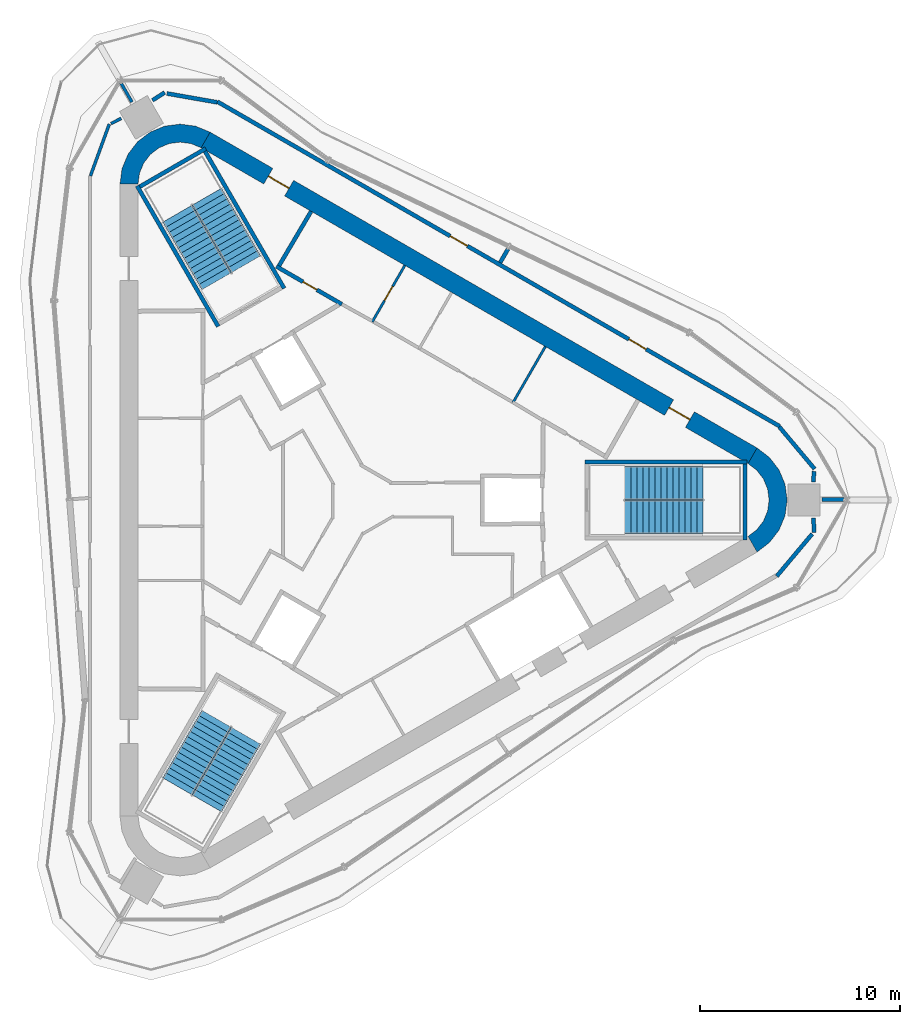
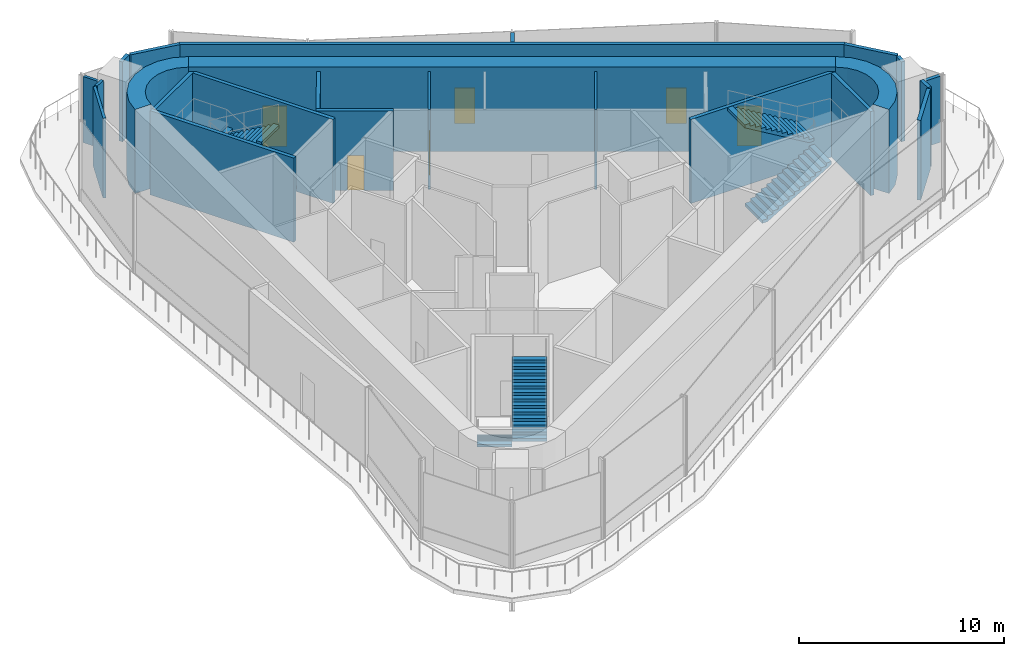
# One storey, part 6 of 8: 24 walls, 6 doors, 6 stair flights, 6 openings, 3 elements without a shape of their own.
"""IFC4 building model written with IfcOpenShell, lengths in metres."""

import ifcopenshell
import ifcopenshell.guid

model = None  # the IFC model being written
_history = None  # IfcOwnerHistory: only IFC2X3 demands one
_inside = {}  # id of a spatial element -> (the spatial element, [elements in it])
_under = {}  # id of a project, library or spatial element -> (it, [spatial elements below it])
_declared = {}  # id of a project -> (the project, [libraries it declares])
_typed = {}  # id of a type object -> (the type object, [elements of that type])
_made_of = {}  # id of a material, layer set ... -> (it, [elements and type objects made of it])


def new_model(schema):
    """Start an empty IFC model of exactly this schema.

    Asked for "IFC4X3", IfcOpenShell would pick the latest addendum, in which some entities
    have other attributes; the version numbers below select the first issue.
    IFC2X3 requires an IfcOwnerHistory on every rooted entity: one is made here for all.
    """
    global model, _history
    if schema == "IFC4X3":
        model = ifcopenshell.file(schema_version=(4, 3, 0, 0))
    else:
        model = ifcopenshell.file(schema=schema)
    _inside.clear()
    _under.clear()
    _declared.clear()
    _typed.clear()
    _made_of.clear()
    _history = None
    if model.schema == "IFC2X3":
        org = make("IfcOrganization", Name="unknown")
        user = make(
            "IfcPersonAndOrganization",
            ThePerson=make("IfcPerson", FamilyName="unknown"),
            TheOrganization=org,
        )
        app = make(
            "IfcApplication",
            ApplicationDeveloper=org,
            Version="unknown",
            ApplicationFullName="unknown",
            ApplicationIdentifier="unknown",
        )
        _history = make(
            "IfcOwnerHistory",
            OwningUser=user,
            OwningApplication=app,
            ChangeAction="ADDED",
            CreationDate=0,
        )
    return model


def make(cls, **values):
    """One entity of the class cls with the attributes given. An attribute that is None is left unset."""
    return model.create_entity(
        cls, **{name: value for name, value in values.items() if value is not None}
    )


def rooted(cls, **values):
    """An entity with a GlobalId (a new one), such as an element, a storey or a relation."""
    return make(cls, GlobalId=ifcopenshell.guid.new(), OwnerHistory=_history, **values)


def si_unit(unit_type, name, prefix=None):
    """IfcSIUnit, for example si_unit("LENGTHUNIT", "METRE", prefix="MILLI")."""
    return make("IfcSIUnit", UnitType=unit_type, Prefix=prefix, Name=name)


def assignment(units):
    """IfcUnitAssignment: the units of a project."""
    return None if units is None else make("IfcUnitAssignment", Units=units)


def point(xyz):
    """IfcCartesianPoint."""
    return None if xyz is None else make("IfcCartesianPoint", Coordinates=xyz)


def direction(xyz):
    """IfcDirection."""
    return None if xyz is None else make("IfcDirection", DirectionRatios=xyz)


def frame(location, z_axis=None, x_axis=None):
    """IfcAxis2Placement3D, a coordinate frame: its origin and axes. An axis left out is left unset."""
    return make(
        "IfcAxis2Placement3D",
        Location=point(location),
        Axis=direction(z_axis),
        RefDirection=direction(x_axis),
    )


def frame_2d(location, x_axis=None):
    """IfcAxis2Placement2D, a coordinate frame in the plane: its origin and x axis."""
    return make(
        "IfcAxis2Placement2D", Location=point(location), RefDirection=direction(x_axis)
    )


def origin():
    """The frame at (0, 0, 0) with its axes left unset."""
    return frame((0.0, 0.0, 0.0))


def place(relative_to, where):
    """IfcLocalPlacement: puts the frame where relative to a parent placement (None: the world)."""
    return make(
        "IfcLocalPlacement", PlacementRelTo=relative_to, RelativePlacement=where
    )


def context(
    kind, dimensions, precision=None, world=None, true_north=None, identifier=None
):
    """IfcGeometricRepresentationContext, for example the 3D "Model" context."""
    return make(
        "IfcGeometricRepresentationContext",
        ContextIdentifier=identifier,
        ContextType=kind,
        CoordinateSpaceDimension=dimensions,
        Precision=precision,
        WorldCoordinateSystem=world,
        TrueNorth=true_north,
    )


def subcontext(parent, identifier, kind, view, scale=None):
    """IfcGeometricRepresentationSubContext, for example "Body" below "Model"."""
    return make(
        "IfcGeometricRepresentationSubContext",
        ContextIdentifier=identifier,
        ContextType=kind,
        ParentContext=parent,
        TargetScale=scale,
        TargetView=view,
    )


def project(units=None, contexts=None):
    """IfcProject with its units and contexts."""
    return rooted(
        "IfcProject",
        Name="project",
        RepresentationContexts=contexts,
        UnitsInContext=assignment(units),
    )


def spatial(cls, under=None, at=None, **own):
    """A site, building, storey or space (cls), placed at a placement, below another one or the project."""
    s = rooted(cls, ObjectPlacement=at, **own)
    if under is not None:
        _under.setdefault(under.id(), (under, []))[1].append(s)
    return s


def polyline(points):
    """IfcPolyline through the points."""
    return make("IfcPolyline", Points=[point(p) for p in points])


def profile(cls, at=None, kind="AREA", **sizes):
    """A parametric profile (cls). Its sizes go by their IFC names, for example OverallWidth=200.0."""
    return make(cls, ProfileType=kind, Position=at, **sizes)


def rectangle(**sizes):
    """IfcRectangleProfileDef."""
    return profile("IfcRectangleProfileDef", **sizes)


def outline(outer, holes=None, kind="AREA"):
    """IfcArbitraryClosedProfileDef: a profile drawn as a closed curve; with holes, ...WithVoids."""
    if holes is None:
        return make("IfcArbitraryClosedProfileDef", ProfileType=kind, OuterCurve=outer)
    return make(
        "IfcArbitraryProfileDefWithVoids",
        ProfileType=kind,
        OuterCurve=outer,
        InnerCurves=holes,
    )


def extrude(swept, where, along, depth):
    """IfcExtrudedAreaSolid: the profile swept, set in the frame where, extruded along a direction by depth."""
    return make(
        "IfcExtrudedAreaSolid",
        SweptArea=swept,
        Position=where,
        ExtrudedDirection=direction(along),
        Depth=depth,
    )


def shape(context_of_items, identifier, shape_type, items):
    """IfcShapeRepresentation: the items that make up one representation, for example the "Body"."""
    return make(
        "IfcShapeRepresentation",
        ContextOfItems=context_of_items,
        RepresentationIdentifier=identifier,
        RepresentationType=shape_type,
        Items=items,
    )


def material(Name=None, Category=None):
    """IfcMaterial."""
    return make("IfcMaterial", Name=Name, Category=Category)


def layer(
    of_material, thickness, ventilated=None, Name=None, Category=None, Priority=None
):
    """IfcMaterialLayer: one layer of a wall or slab, of a material (None: an air gap)."""
    return make(
        "IfcMaterialLayer",
        Material=of_material,
        LayerThickness=thickness,
        IsVentilated=ventilated,
        Name=Name,
        Category=Category,
        Priority=Priority,
    )


def layer_set(layers, Name=None):
    """IfcMaterialLayerSet."""
    return make("IfcMaterialLayerSet", MaterialLayers=layers, LayerSetName=Name)


def made_of(thing, what):
    """Note that an element or type object is made of a material, layer set ...; save() writes the relation."""
    if what is not None:
        _made_of.setdefault(what.id(), (what, []))[1].append(thing)
    return thing


def type_object(cls, material=None, **own):
    """A type object (cls), such as IfcWallType, which elements share."""
    return made_of(rooted(cls, **own), material)


def element(
    cls,
    number,
    at=None,
    inside=None,
    cuts=None,
    type_object=None,
    material=None,
    context=None,
    identifier="Body",
    shape_type=None,
    held_by="IfcProductDefinitionShape",
    body=None,
    shapes=None,
    **own,
):
    """One element of the class cls, such as IfcWall. Its Tag is "e" and its number.

    at: its placement. inside: the storey or other place that contains it. cuts: it is an
    opening in that element (IfcRelVoidsElement). A single representation is given by context,
    identifier, shape_type and body (its items); several are given by shapes. held_by: the class
    of the entity that holds the representations. save() writes the other relations.
    """
    e = rooted(cls, Tag="e%d" % number, ObjectPlacement=at, **own)
    if body is not None:
        shapes = [shape(context, identifier, shape_type, body)]
    if shapes is not None:
        e.Representation = make(held_by, Representations=shapes)
    if inside is not None:
        _inside.setdefault(inside.id(), (inside, []))[1].append(e)
    if cuts is not None:
        rooted(
            "IfcRelVoidsElement", RelatingBuildingElement=cuts, RelatedOpeningElement=e
        )
    if type_object is not None:
        _typed.setdefault(type_object.id(), (type_object, []))[1].append(e)
    return made_of(e, material)


def fill(opening, filler):
    """IfcRelFillsElement: the door or window that sits in an opening."""
    return rooted(
        "IfcRelFillsElement",
        RelatingOpeningElement=opening,
        RelatedBuildingElement=filler,
    )


def aggregate(whole, parts):
    """IfcRelAggregates: a whole, such as a stair, and the parts it consists of."""
    return rooted("IfcRelAggregates", RelatingObject=whole, RelatedObjects=parts)


def save(model, path):
    """Write the relations noted so far, then the file.

    IfcRelAggregates (storeys below a building ...), IfcRelContainedInSpatialStructure (elements
    in a storey), IfcRelDefinesByType, IfcRelAssociatesMaterial and IfcRelDeclares: one each for
    every whole, place, type object, material and project.
    """
    for whole, parts in _under.values():
        aggregate(whole, parts)
    for where, things in _inside.values():
        rooted(
            "IfcRelContainedInSpatialStructure",
            RelatedElements=things,
            RelatingStructure=where,
        )
    for kind, things in _typed.values():
        rooted("IfcRelDefinesByType", RelatedObjects=things, RelatingType=kind)
    for what, things in _made_of.values():
        rooted("IfcRelAssociatesMaterial", RelatedObjects=things, RelatingMaterial=what)
    for by, libraries in _declared.values():
        rooted("IfcRelDeclares", RelatingContext=by, RelatedDefinitions=libraries)
    model.write(path)


model = new_model("IFC4")

# Units and contexts
model_context = context("Model", 3, precision=1e-05, world=origin(), true_north=direction((0.0, 1.0)))
body_context = subcontext(model_context, "Body", "Model", "MODEL_VIEW")
ifc_project = project(units=[si_unit("LENGTHUNIT", "METRE"), si_unit("AREAUNIT", "SQUARE_METRE"), si_unit("VOLUMEUNIT", "CUBIC_METRE"), si_unit("PLANEANGLEUNIT", "RADIAN"), si_unit("MASSUNIT", "GRAM", prefix="KILO")], contexts=[model_context])

# Site, building, storey
site_placement = place(None, origin())
site = spatial("IfcSite", under=ifc_project, at=site_placement, CompositionType="ELEMENT")
building_placement = place(site_placement, origin())
building = spatial("IfcBuilding", under=site, at=building_placement, Name="Tanit Gate Tower", CompositionType="ELEMENT")
storey_placement = place(building_placement, frame((0.0, 0.0, 435.300048828125)))
storey = spatial("IfcBuildingStorey", under=building, at=storey_placement, Name="L98", CompositionType="ELEMENT", Elevation=435.300048828125)

# Wall, openings, doors
ifc_material_1 = material(Name="Concrete C40/50", Category="concrete")
ifc_layer_1 = layer(ifc_material_1, 0.89990234375)
ifc_layer_set_1 = layer_set([ifc_layer_1], Name="CORE WALL 900 C40/50")
wall_type_1 = type_object("IfcWallType", Name="CORE WALL 900 C40/50", PredefinedType="SHEAR", material=ifc_layer_set_1)
wall_1_placement = place(storey_placement, frame((19.47509765625, 2.20849609375, 0.0), z_axis=(0.0, 0.0, 1.0), x_axis=(-0.866028369851, 0.499994862586, 0.0)))
wall_1 = element("IfcWall", 1, at=wall_1_placement, inside=storey, type_object=wall_type_1, Name="CORE WALL", PredefinedType="SHEAR", context=body_context, shape_type="SweptSolid", body=[
    extrude(rectangle(XDim=31.523193359375, YDim=0.89990234375, at=frame_2d((15.76171875, 0.0))), origin(), (0.0, 0.0, 1.0), 5.0),
])
opening_1_placement = place(wall_1_placement, frame((3.611572265625, 0.0, 0.0)))
opening_1 = element("IfcOpeningElement", 2, at=opening_1_placement, cuts=wall_1, Name="Opening F12-98-FL1", PredefinedType="OPENING", context=body_context, shape_type="SweptSolid", body=[
    extrude(rectangle(XDim=1.199951171875, YDim=2.39990234375, at=frame_2d((0.60009765625, 1.199951171875))), frame((0.0, 0.4599609375, 0.0), z_axis=(0.0, -1.0, 0.0), x_axis=(1.0, 0.0, 0.0)), (0.0, 0.0, 1.0), 0.919921875),
])
opening_2_placement = place(wall_1_placement, frame((26.711669921875, 0.0, 0.0)))
opening_2 = element("IfcOpeningElement", 3, at=opening_2_placement, cuts=wall_1, Name="Opening F12-98-S2", PredefinedType="OPENING", context=body_context, shape_type="SweptSolid", body=[
    extrude(rectangle(XDim=1.199951171875, YDim=2.39990234375, at=frame_2d((0.60009765625, 1.199951171875))), frame((0.0, 0.4599609375, 0.0), z_axis=(0.0, -1.0, 0.0), x_axis=(1.0, 0.0, 0.0)), (0.0, 0.0, 1.0), 0.919921875),
])
ifc_material_2 = material(Name="Fire-rated steel door leaf", Category="steel")
door_type_1 = type_object("IfcDoorType", Name="INT-DOOR-FIRE-LOBBY-1200", OperationType="NOTDEFINED", PredefinedType="USERDEFINED", material=ifc_material_2)
door_1_placement = place(opening_1_placement, origin())
door_1 = element("IfcDoor", 4, at=door_1_placement, inside=storey, type_object=door_type_1, Name="Door F12-98-FL1", ObjectType="FIRE DOOR", OperationType="SINGLE_SWING_RIGHT", OverallHeight=2.39990234375, OverallWidth=1.199951171875, PredefinedType="USERDEFINED", context=body_context, shape_type="SweptSolid", body=[
    extrude(rectangle(XDim=1.199951171875, YDim=2.39990234375, at=frame_2d((0.60009765625, 1.199951171875))), frame((0.0, 0.02490234375, 0.0), z_axis=(0.0, -1.0, 0.0), x_axis=(1.0, 0.0, 0.0)), (0.0, 0.0, 1.0), 0.050048828125),
])
fill(opening_1, door_1)
door_2_placement = place(opening_2_placement, origin())
door_2 = element("IfcDoor", 5, at=door_2_placement, inside=storey, type_object=door_type_1, Name="Door F12-98-S2", ObjectType="FIRE DOOR", OperationType="SINGLE_SWING_LEFT", OverallHeight=2.39990234375, OverallWidth=1.199951171875, PredefinedType="USERDEFINED", context=body_context, shape_type="SweptSolid", body=[
    extrude(rectangle(XDim=1.199951171875, YDim=2.39990234375, at=frame_2d((0.60009765625, 1.199951171875))), frame((0.0, 0.02490234375, 0.0), z_axis=(0.0, -1.0, 0.0), x_axis=(1.0, 0.0, 0.0)), (0.0, 0.0, 1.0), 0.050048828125),
])
fill(opening_2, door_2)

# Walls
wall_2_placement = place(storey_placement, origin())
element("IfcWall", 6, at=wall_2_placement, inside=storey, type_object=wall_type_1, Name="CORE WALL CORNER", PredefinedType="SHEAR", context=body_context, shape_type="SweptSolid", body=[
    extrude(outline(polyline([(-7.60009765625, 18.359619140625), (-8.323486328125, 18.659423828125), (-9.10009765625, 18.76171875), (-9.87646484375, 18.659423828125), (-10.60009765625, 18.359619140625), (-11.22119140625, 17.883056640625), (-11.697998046875, 17.26171875), (-11.997802734375, 16.5380859375), (-12.10009765625, 15.76171875), (-11.199951171875, 15.76171875), (-11.12841796875, 16.30517578125), (-10.918701171875, 16.811767578125), (-10.5849609375, 17.24658203125), (-10.14990234375, 17.580322265625), (-9.6435546875, 17.7900390625), (-9.10009765625, 17.86181640625), (-8.556396484375, 17.7900390625), (-8.050048828125, 17.580322265625), (-7.60009765625, 18.359619140625)])), origin(), (0.0, 0.0, 1.0), 5.0),
])
wall_3_placement = place(storey_placement, origin())
element("IfcWall", 7, at=wall_3_placement, inside=storey, type_object=wall_type_1, Name="CORE WALL CORNER", PredefinedType="SHEAR", context=body_context, shape_type="SweptSolid", body=[
    extrude(outline(polyline([(19.699951171875, -2.59814453125), (20.3212890625, -2.121337890625), (20.798095703125, -1.5), (21.097900390625, -0.776611328125), (21.199951171875, 0.0), (21.097900390625, 0.776611328125), (20.798095703125, 1.5), (20.3212890625, 2.121337890625), (19.699951171875, 2.59814453125), (19.25, 1.818603515625), (19.684814453125, 1.48486328125), (20.018798828125, 1.050048828125), (20.228515625, 0.54345703125), (20.300048828125, 0.0), (20.228515625, -0.54345703125), (20.018798828125, -1.050048828125), (19.684814453125, -1.48486328125), (19.25, -1.818603515625), (19.699951171875, -2.59814453125)])), origin(), (0.0, 0.0, 1.0), 5.0),
])

# Wall, opening, door
ifc_material_3 = material(Name="Fire-rated gypsum board partition")
ifc_layer_2 = layer(ifc_material_3, 0.199951171875)
ifc_layer_set_2 = layer_set([ifc_layer_2], Name="INT-WALL-COMPARTMENT")
wall_type_2 = type_object("IfcWallType", Name="INT-WALL-COMPARTMENT", PredefinedType="PARTITIONING", material=ifc_layer_set_2)
wall_4_placement = place(storey_placement, frame((-4.295654296875, 11.659912109375, 0.0), z_axis=(0.0, 0.0, 1.0), x_axis=(0.866027389382, -0.499996560828, 0.0)))
wall_4 = element("IfcWall", 8, at=wall_4_placement, inside=storey, type_object=wall_type_2, Name="Wall Compartment W052", PredefinedType="PARTITIONING", context=body_context, shape_type="SweptSolid", body=[
    extrude(rectangle(XDim=3.77783203125, YDim=0.199951171875, at=frame_2d((1.888916015625, 0.0))), origin(), (0.0, 0.0, 1.0), 4.75),
])
opening_3_placement = place(wall_4_placement, frame((1.538818359375, 0.0, 0.0)))
opening_3 = element("IfcOpeningElement", 9, at=opening_3_placement, cuts=wall_4, Name="Opening R08-98-19", PredefinedType="OPENING", context=body_context, shape_type="SweptSolid", body=[
    extrude(rectangle(XDim=0.800048828125, YDim=2.10009765625, at=frame_2d((0.39990234375, 1.050048828125))), frame((0.0, 0.10986328125, 0.0), z_axis=(0.0, -1.0, 0.0), x_axis=(1.0, 0.0, 0.0)), (0.0, 0.0, 1.0), 0.219970703125),
])
ifc_material_4 = material(Name="Timber door leaf", Category="wood")
door_type_2 = type_object("IfcDoorType", Name="INT-DOOR-RISER-800", OperationType="NOTDEFINED", PredefinedType="USERDEFINED", material=ifc_material_4)
door_3_placement = place(opening_3_placement, origin())
door_3 = element("IfcDoor", 10, at=door_3_placement, inside=storey, type_object=door_type_2, Name="Door R08-98-19", ObjectType="FIRE DOOR", OperationType="SINGLE_SWING_LEFT", OverallHeight=2.10009765625, OverallWidth=0.800048828125, PredefinedType="USERDEFINED", context=body_context, shape_type="SweptSolid", body=[
    extrude(rectangle(XDim=0.800048828125, YDim=2.10009765625, at=frame_2d((0.39990234375, 1.050048828125))), frame((0.0, 0.02490234375, 0.0), z_axis=(0.0, -1.0, 0.0), x_axis=(1.0, 0.0, 0.0)), (0.0, 0.0, 1.0), 0.050048828125),
])
fill(opening_3, door_3)

# Wall
wall_5_placement = place(storey_placement, frame((-2.557861328125, 14.409423828125, 0.0), z_axis=(0.0, 0.0, 1.0), x_axis=(-0.508018930956, -0.861345903683, 0.0)))
element("IfcWall", 11, at=wall_5_placement, inside=storey, type_object=wall_type_2, Name="Wall Compartment W053", PredefinedType="PARTITIONING", context=body_context, shape_type="SweptSolid", body=[
    extrude(rectangle(XDim=3.150146484375, YDim=0.199951171875, at=frame_2d((1.5751953125, 0.0))), origin(), (0.0, 0.0, 1.0), 4.75),
])

# Wall, openings, doors
wall_6_placement = place(storey_placement, frame((20.83447265625, 3.67529296875, 0.0), z_axis=(0.0, 0.0, 1.0), x_axis=(-0.866028536494, 0.499994573949, 0.0)))
wall_6 = element("IfcWall", 12, at=wall_6_placement, inside=storey, type_object=wall_type_2, Name="Wall Compartment W099", PredefinedType="PARTITIONING", context=body_context, shape_type="SweptSolid", body=[
    extrude(rectangle(XDim=32.410888671875, YDim=0.199951171875, at=frame_2d((16.20556640625, 0.0))), origin(), (0.0, 0.0, 1.0), 4.75),
])
opening_4_placement = place(wall_6_placement, frame((7.699951171875, 0.0, 0.0)))
opening_4 = element("IfcOpeningElement", 13, at=opening_4_placement, cuts=wall_6, Name="Opening F10-98-28", PredefinedType="OPENING", context=body_context, shape_type="SweptSolid", body=[
    extrude(rectangle(XDim=1.0, YDim=2.10009765625, at=frame_2d((0.5, 1.050048828125))), frame((0.0, 0.10986328125, 0.0), z_axis=(0.0, -1.0, 0.0), x_axis=(1.0, 0.0, 0.0)), (0.0, 0.0, 1.0), 0.219970703125),
])
opening_5_placement = place(wall_6_placement, frame((18.005615234375, 0.0, 0.0)))
opening_5 = element("IfcOpeningElement", 14, at=opening_5_placement, cuts=wall_6, Name="Opening F10-98-29", PredefinedType="OPENING", context=body_context, shape_type="SweptSolid", body=[
    extrude(rectangle(XDim=1.0, YDim=2.10009765625, at=frame_2d((0.5, 1.050048828125))), frame((0.0, 0.10986328125, 0.0), z_axis=(0.0, -1.0, 0.0), x_axis=(1.0, 0.0, 0.0)), (0.0, 0.0, 1.0), 0.219970703125),
])
ifc_material_5 = material(Name="Fire-rated steel door leaf", Category="steel")
door_type_3 = type_object("IfcDoorType", Name="INT-DOOR-FIRE-1000", OperationType="NOTDEFINED", PredefinedType="USERDEFINED", material=ifc_material_5)
door_4_placement = place(opening_4_placement, origin())
door_4 = element("IfcDoor", 15, at=door_4_placement, inside=storey, type_object=door_type_3, Name="Door F10-98-28", ObjectType="FIRE DOOR", OperationType="SINGLE_SWING_LEFT", OverallHeight=2.10009765625, OverallWidth=1.0, PredefinedType="USERDEFINED", context=body_context, shape_type="SweptSolid", body=[
    extrude(rectangle(XDim=1.0, YDim=2.10009765625, at=frame_2d((0.5, 1.050048828125))), frame((0.0, 0.02490234375, 0.0), z_axis=(0.0, -1.0, 0.0), x_axis=(1.0, 0.0, 0.0)), (0.0, 0.0, 1.0), 0.050048828125),
])
fill(opening_4, door_4)
door_5_placement = place(opening_5_placement, origin())
door_5 = element("IfcDoor", 16, at=door_5_placement, inside=storey, type_object=door_type_3, Name="Door F10-98-29", ObjectType="FIRE DOOR", OperationType="SINGLE_SWING_RIGHT", OverallHeight=2.10009765625, OverallWidth=1.0, PredefinedType="USERDEFINED", context=body_context, shape_type="SweptSolid", body=[
    extrude(rectangle(XDim=1.0, YDim=2.10009765625, at=frame_2d((0.5, 1.050048828125))), frame((0.0, 0.02490234375, 0.0), z_axis=(0.0, -1.0, 0.0), x_axis=(1.0, 0.0, 0.0)), (0.0, 0.0, 1.0), 0.050048828125),
])
fill(opening_5, door_5)

# Walls
wall_7_placement = place(storey_placement, frame((22.5712890625, 1.552001953125, 0.0), z_axis=(0.0, 0.0, 1.0), x_axis=(-0.642777788023, 0.766052684366, 0.0)))
element("IfcWall", 17, at=wall_7_placement, inside=storey, type_object=wall_type_2, Name="Wall Compartment W100", PredefinedType="PARTITIONING", context=body_context, shape_type="SweptSolid", body=[
    extrude(rectangle(XDim=2.737060546875, YDim=0.199951171875, at=frame_2d((1.36865234375, 0.0))), origin(), (0.0, 0.0, 1.0), 4.75),
])
wall_8_placement = place(storey_placement, frame((22.51611328125, 0.89990234375, 0.0), z_axis=(0.0, 0.0, 1.0), x_axis=(0.044289222506, 0.99901875096, 0.0)))
element("IfcWall", 18, at=wall_8_placement, inside=storey, type_object=wall_type_2, Name="Wall Compartment W101", PredefinedType="PARTITIONING", context=body_context, shape_type="SweptSolid", body=[
    extrude(rectangle(XDim=0.53466796875, YDim=0.199951171875, at=frame_2d((0.267333984375, 0.0))), origin(), (0.0, 0.0, 1.0), 4.75),
])
wall_9_placement = place(storey_placement, frame((-9.870361328125, 20.33740234375, 0.0), z_axis=(0.0, 0.0, 1.0), x_axis=(-0.843326891705, -0.537400924569, 0.0)))
element("IfcWall", 19, at=wall_9_placement, inside=storey, type_object=wall_type_2, Name="Wall Compartment W102", PredefinedType="PARTITIONING", context=body_context, shape_type="SweptSolid", body=[
    extrude(rectangle(XDim=0.721435546875, YDim=0.199951171875, at=frame_2d((0.36083984375, 0.0))), origin(), (0.0, 0.0, 1.0), 4.75),
])
wall_10_placement = place(storey_placement, frame((-7.246337890625, 19.84814453125, 0.0), z_axis=(0.0, 0.0, 1.0), x_axis=(-0.984816315713, 0.173599609177, 0.0)))
element("IfcWall", 20, at=wall_10_placement, inside=storey, type_object=wall_type_2, Name="Wall Compartment W103", PredefinedType="PARTITIONING", context=body_context, shape_type="SweptSolid", body=[
    extrude(rectangle(XDim=2.5498046875, YDim=0.199951171875, at=frame_2d((1.27490234375, 0.0))), origin(), (0.0, 0.0, 1.0), 4.75),
])
wall_11_placement = place(storey_placement, frame((7.271240234375, 12.5341796875, 0.0), z_axis=(0.0, 0.0, 1.0), x_axis=(-0.500025443912, -0.866010713236, 0.0)))
element("IfcWall", 21, at=wall_11_placement, inside=storey, type_object=wall_type_2, Name="Wall Compartment W105", PredefinedType="PARTITIONING", context=body_context, shape_type="SweptSolid", body=[
    extrude(rectangle(XDim=0.79052734375, YDim=0.199951171875, at=frame_2d((0.395263671875, 0.0))), origin(), (0.0, 0.0, 1.0), 4.75),
])
wall_12_placement = place(storey_placement, frame((22.951171875, 0.030029296875, 0.0), z_axis=(0.0, 0.0, 1.0), x_axis=(1.0, 0.0, 0.0)))
element("IfcWall", 22, at=wall_12_placement, inside=storey, type_object=wall_type_2, Name="Wall Compartment W106", PredefinedType="PARTITIONING", context=body_context, shape_type="SweptSolid", body=[
    extrude(rectangle(XDim=1.09814453125, YDim=0.199951171875, at=frame_2d((0.549072265625, 0.0))), origin(), (0.0, 0.0, 1.0), 3.929931640625),
])
wall_13_placement = place(storey_placement, frame((22.5478515625, -1.620849609375, 0.0), z_axis=(0.0, 0.0, 1.0), x_axis=(-0.043980430429, 0.999032392738, 0.0)))
element("IfcWall", 23, at=wall_13_placement, inside=storey, type_object=wall_type_2, Name="Wall Compartment W110", PredefinedType="PARTITIONING", context=body_context, shape_type="SweptSolid", body=[
    extrude(rectangle(XDim=0.7216796875, YDim=0.199951171875, at=frame_2d((0.36083984375, 0.0))), origin(), (0.0, 0.0, 1.0), 4.75),
])
wall_14_placement = place(storey_placement, frame((20.68359375, -3.8017578125, 0.0), z_axis=(0.0, 0.0, 1.0), x_axis=(0.642800550542, 0.766033584265, 0.0)))
element("IfcWall", 24, at=wall_14_placement, inside=storey, type_object=wall_type_2, Name="Wall Compartment W111", PredefinedType="PARTITIONING", context=body_context, shape_type="SweptSolid", body=[
    extrude(rectangle(XDim=2.749755859375, YDim=0.199951171875, at=frame_2d((1.375, 0.0))), origin(), (0.0, 0.0, 1.0), 4.75),
])
ifc_material_6 = material(Name="Gypsum board partition")
ifc_layer_3 = layer(ifc_material_6, 0.1201171875)
ifc_layer_set_3 = layer_set([ifc_layer_3], Name="INT-WALL-PARTITION")
wall_type_3 = type_object("IfcWallType", Name="INT-WALL-PARTITION", PredefinedType="PARTITIONING", material=ifc_layer_set_3)
wall_15_placement = place(storey_placement, frame((9.13330078125, 7.659423828125, 0.0), z_axis=(0.0, 0.0, 1.0), x_axis=(-0.500017246033, -0.866015446554, 0.0)))
element("IfcWall", 25, at=wall_15_placement, inside=storey, type_object=wall_type_3, Name="Wall Partition W044", PredefinedType="PARTITIONING", context=body_context, shape_type="SweptSolid", body=[
    extrude(rectangle(XDim=3.25, YDim=0.1201171875, at=frame_2d((1.625, 0.0))), origin(), (0.0, 0.0, 1.0), 4.75),
])

# Wall, opening, door
wall_16_placement = place(storey_placement, frame((0.49365234375, 8.89501953125, 0.0), z_axis=(0.0, 0.0, 1.0), x_axis=(0.500017246033, 0.866015446554, 0.0)))
wall_16 = element("IfcWall", 26, at=wall_16_placement, inside=storey, type_object=wall_type_3, Name="Wall Partition W050", PredefinedType="PARTITIONING", context=body_context, shape_type="SweptSolid", body=[
    extrude(rectangle(XDim=3.25, YDim=0.1201171875, at=frame_2d((1.625, 0.0))), origin(), (0.0, 0.0, 1.0), 4.75),
])
opening_6_placement = place(wall_16_placement, frame((1.22509765625, 0.0, 0.0)))
opening_6 = element("IfcOpeningElement", 27, at=opening_6_placement, cuts=wall_16, Name="Opening R08-98-25", PredefinedType="OPENING", context=body_context, shape_type="SweptSolid", body=[
    extrude(rectangle(XDim=0.800048828125, YDim=2.10009765625, at=frame_2d((0.39990234375, 1.050048828125))), frame((0.0, 0.070068359375, 0.0), z_axis=(0.0, -1.0, 0.0), x_axis=(1.0, 0.0, 0.0)), (0.0, 0.0, 1.0), 0.14013671875),
])
door_6_placement = place(opening_6_placement, origin())
door_6 = element("IfcDoor", 28, at=door_6_placement, inside=storey, type_object=door_type_2, Name="Door R08-98-25", ObjectType="FIRE DOOR", OperationType="SINGLE_SWING_LEFT", OverallHeight=2.10009765625, OverallWidth=0.800048828125, PredefinedType="USERDEFINED", context=body_context, shape_type="SweptSolid", body=[
    extrude(rectangle(XDim=0.800048828125, YDim=2.10009765625, at=frame_2d((0.39990234375, 1.050048828125))), frame((0.0, 0.02490234375, 0.0), z_axis=(0.0, -1.0, 0.0), x_axis=(1.0, 0.0, 0.0)), (0.0, 0.0, 1.0), 0.050048828125),
])
fill(opening_6, door_6)

# Walls
ifc_material_7 = material(Name="Fire-rated gypsum board partition")
ifc_layer_4 = layer(ifc_material_7, 0.14990234375)
ifc_layer_set_4 = layer_set([ifc_layer_4], Name="INT-WALL-RISER")
wall_type_4 = type_object("IfcWallType", Name="INT-WALL-RISER", PredefinedType="PLUMBINGWALL", material=ifc_layer_set_4)
wall_17_placement = place(storey_placement, frame((-12.633056640625, 18.761962890625, 0.0), z_axis=(0.0, 0.0, 1.0), x_axis=(-0.342084949285, -0.939669030815, 0.0)))
element("IfcWall", 29, at=wall_17_placement, inside=storey, type_object=wall_type_4, Name="Wall Riser W090", PredefinedType="PLUMBINGWALL", context=body_context, shape_type="SweptSolid", body=[
    extrude(rectangle(XDim=2.751953125, YDim=0.14990234375, at=frame_2d((1.3759765625, 0.0))), origin(), (0.0, 0.0, 1.0), 4.75),
])
wall_18_placement = place(storey_placement, frame((-12.03759765625, 19.049560546875, 0.0), z_axis=(0.0, 0.0, 1.0), x_axis=(-0.887223795035, -0.461339286778, 0.0)))
element("IfcWall", 30, at=wall_18_placement, inside=storey, type_object=wall_type_4, Name="Wall Riser W091", PredefinedType="PLUMBINGWALL", context=body_context, shape_type="SweptSolid", body=[
    extrude(rectangle(XDim=0.571533203125, YDim=0.14990234375, at=frame_2d((0.28564453125, 0.0))), origin(), (0.0, 0.0, 1.0), 4.75),
])
wall_19_placement = place(storey_placement, frame((-11.50146484375, 19.861083984375, 0.0), z_axis=(0.0, 0.0, 1.0), x_axis=(-0.500107244371, 0.865963477364, 0.0)))
element("IfcWall", 31, at=wall_19_placement, inside=storey, type_object=wall_type_4, Name="Wall Riser W097", PredefinedType="PLUMBINGWALL", context=body_context, shape_type="SweptSolid", body=[
    extrude(rectangle(XDim=1.098388671875, YDim=0.14990234375, at=frame_2d((0.54931640625, 0.0))), origin(), (0.0, 0.0, 1.0), 3.929931640625),
])
ifc_material_8 = material(Name="Concrete C40/50", Category="concrete")
ifc_layer_5 = layer(ifc_material_8, 0.199951171875)
ifc_layer_set_5 = layer_set([ifc_layer_5], Name="INT-WALL-STAIR")
wall_type_5 = type_object("IfcWallType", Name="INT-WALL-STAIR", PredefinedType="SHEAR", material=ifc_layer_set_5)
wall_20_placement = place(storey_placement, frame((19.199951171875, 1.89990234375, -0.25), z_axis=(0.0, 0.0, 1.0), x_axis=(-1.0, 0.0, 0.0)))
element("IfcWall", 32, at=wall_20_placement, inside=storey, type_object=wall_type_5, Name="Wall Stair W006", PredefinedType="SHEAR", context=body_context, shape_type="SweptSolid", body=[
    extrude(rectangle(XDim=8.099853515625, YDim=0.199951171875, at=frame_2d((4.0498046875, 0.0))), origin(), (0.0, 0.0, 1.0), 5.0),
])
wall_21_placement = place(storey_placement, frame((19.10009765625, -2.0, -0.25), z_axis=(0.0, 0.0, 1.0), x_axis=(0.0, 1.0, 0.0)))
element("IfcWall", 33, at=wall_21_placement, inside=storey, type_object=wall_type_5, Name="Wall Stair W007", PredefinedType="SHEAR", context=body_context, shape_type="SweptSolid", body=[
    extrude(rectangle(XDim=3.800048828125, YDim=0.199951171875, at=frame_2d((1.89990234375, 0.0))), origin(), (0.0, 0.0, 1.0), 5.0),
])
wall_22_placement = place(storey_placement, frame((-11.245361328125, 15.677734375, -0.25), z_axis=(0.0, 0.0, 1.0), x_axis=(0.499977274689, -0.866038523851, 0.0)))
element("IfcWall", 34, at=wall_22_placement, inside=storey, type_object=wall_type_5, Name="Wall Stair W015", PredefinedType="SHEAR", context=body_context, shape_type="SweptSolid", body=[
    extrude(rectangle(XDim=8.10009765625, YDim=0.199951171875, at=frame_2d((4.050048828125, 0.0))), origin(), (0.0, 0.0, 1.0), 5.0),
])
wall_23_placement = place(storey_placement, frame((-7.81787109375, 17.541015625, -0.25), z_axis=(0.0, 0.0, 1.0), x_axis=(-0.866044365799, -0.499967155389, 0.0)))
element("IfcWall", 35, at=wall_23_placement, inside=storey, type_object=wall_type_5, Name="Wall Stair W016", PredefinedType="SHEAR", context=body_context, shape_type="SweptSolid", body=[
    extrude(rectangle(XDim=3.800048828125, YDim=0.199951171875, at=frame_2d((1.89990234375, 0.0))), origin(), (0.0, 0.0, 1.0), 5.0),
])
wall_24_placement = place(storey_placement, frame((-7.8544921875, 17.404541015625, -0.25), z_axis=(0.0, 0.0, 1.0), x_axis=(0.499997992926, -0.866026562566, 0.0)))
element("IfcWall", 36, at=wall_24_placement, inside=storey, type_object=wall_type_5, Name="Wall Stair W017", PredefinedType="SHEAR", context=body_context, shape_type="SweptSolid", body=[
    extrude(rectangle(XDim=7.89990234375, YDim=0.199951171875, at=frame_2d((3.949951171875, 0.0))), origin(), (0.0, 0.0, 1.0), 5.0),
])

# Stair, stair flights
ifc_material_9 = material(Name="Concrete C40/50", Category="concrete")
stair_type = type_object("IfcStairType", Name="INT-STAIR-EXIT", PredefinedType="HALF_TURN_STAIR", material=ifc_material_9)
stair_1_placement = place(storey_placement, origin())
stair_1 = element("IfcStair", 37, at=stair_1_placement, inside=storey, type_object=stair_type, Name="L98 STAIR S1", PredefinedType="HALF_TURN_STAIR")
ifc_material_10 = material(Name="Concrete C40/50", Category="concrete")
stair_flight_type = type_object("IfcStairFlightType", Name="INT-STAIR-FLIGHT", PredefinedType="STRAIGHT", material=ifc_material_10)
stair_flight_1_placement = place(storey_placement, frame((13.094970703125, -0.8525390625, 0.0), z_axis=(0.0, 0.0, 1.0), x_axis=(1.0, 0.0, 0.0)))
stair_flight_1 = element("IfcStairFlight", 38, at=stair_flight_1_placement, type_object=stair_flight_type, Name="S1 flight 1", NumberOfRisers=14, NumberOfTreads=13, PredefinedType="STRAIGHT", RiserHeight=0.178571429, TreadLength=0.3, context=body_context, shape_type="SweptSolid", body=[
    extrude(outline(polyline([(0.0, 0.0), (0.0, 0.178466796875), (0.300048828125, 0.178466796875), (0.300048828125, 0.357177734375), (0.60009765625, 0.357177734375), (0.60009765625, 0.53564453125), (0.89990234375, 0.53564453125), (0.89990234375, 0.71435546875), (1.199951171875, 0.71435546875), (1.199951171875, 0.892822265625), (1.5, 0.892822265625), (1.5, 1.071533203125), (1.800048828125, 1.071533203125), (1.800048828125, 1.25), (2.10009765625, 1.25), (2.10009765625, 1.428466796875), (2.39990234375, 1.428466796875), (2.39990234375, 1.607177734375), (2.699951171875, 1.607177734375), (2.699951171875, 1.78564453125), (3.0, 1.78564453125), (3.0, 1.96435546875), (3.300048828125, 1.96435546875), (3.300048828125, 2.142822265625), (3.60009765625, 2.142822265625), (3.60009765625, 2.321533203125), (3.89990234375, 2.321533203125), (3.89990234375, 2.5), (3.89990234375, 2.14697265625), (0.29296875, 0.0), (0.0, 0.0)])), frame((0.0, 0.84765625, 0.0), z_axis=(0.0, -1.0, 0.0), x_axis=(1.0, 0.0, 0.0)), (0.0, 0.0, 1.0), 1.695068359375),
])
stair_flight_2_placement = place(storey_placement, frame((16.9951171875, 0.8525390625, 2.5), z_axis=(0.0, 0.0, 1.0), x_axis=(-1.0, 0.0, 0.0)))
stair_flight_2 = element("IfcStairFlight", 39, at=stair_flight_2_placement, type_object=stair_flight_type, Name="S1 flight 2", NumberOfRisers=14, NumberOfTreads=13, PredefinedType="STRAIGHT", RiserHeight=0.178571429, TreadLength=0.3, context=body_context, shape_type="SweptSolid", body=[
    extrude(outline(polyline([(0.0, 0.0), (0.0, 0.178466796875), (0.300048828125, 0.178466796875), (0.300048828125, 0.357177734375), (0.60009765625, 0.357177734375), (0.60009765625, 0.53564453125), (0.89990234375, 0.53564453125), (0.89990234375, 0.71435546875), (1.199951171875, 0.71435546875), (1.199951171875, 0.892822265625), (1.5, 0.892822265625), (1.5, 1.071533203125), (1.800048828125, 1.071533203125), (1.800048828125, 1.25), (2.10009765625, 1.25), (2.10009765625, 1.428466796875), (2.39990234375, 1.428466796875), (2.39990234375, 1.607177734375), (2.699951171875, 1.607177734375), (2.699951171875, 1.78564453125), (3.0, 1.78564453125), (3.0, 1.96435546875), (3.300048828125, 1.96435546875), (3.300048828125, 2.142822265625), (3.60009765625, 2.142822265625), (3.60009765625, 2.321533203125), (3.89990234375, 2.321533203125), (3.89990234375, 2.5), (3.89990234375, 2.14697265625), (0.29296875, 0.0), (0.0, 0.0)])), frame((0.0, 0.84765625, 0.0), z_axis=(0.0, -1.0, 0.0), x_axis=(1.0, 0.0, 0.0)), (0.0, 0.0, 1.0), 1.695068359375),
])
aggregate(stair_1, [stair_flight_1, stair_flight_2])

stair_2_placement = place(storey_placement, origin())
stair_2 = element("IfcStair", 40, at=stair_2_placement, inside=storey, type_object=stair_type, Name="L98 STAIR S2", PredefinedType="HALF_TURN_STAIR")
stair_flight_3_placement = place(storey_placement, frame((-5.808349609375, 11.766357421875, 0.0), z_axis=(0.0, 0.0, 1.0), x_axis=(-0.5, 0.866025403784, 0.0)))
stair_flight_3 = element("IfcStairFlight", 41, at=stair_flight_3_placement, type_object=stair_flight_type, Name="S2 flight 1", NumberOfRisers=14, NumberOfTreads=13, PredefinedType="STRAIGHT", RiserHeight=0.178571429, TreadLength=0.3, context=body_context, shape_type="SweptSolid", body=[
    extrude(outline(polyline([(0.0, 0.0), (0.0, 0.178466796875), (0.300048828125, 0.178466796875), (0.300048828125, 0.357177734375), (0.60009765625, 0.357177734375), (0.60009765625, 0.53564453125), (0.89990234375, 0.53564453125), (0.89990234375, 0.71435546875), (1.199951171875, 0.71435546875), (1.199951171875, 0.892822265625), (1.5, 0.892822265625), (1.5, 1.071533203125), (1.800048828125, 1.071533203125), (1.800048828125, 1.25), (2.10009765625, 1.25), (2.10009765625, 1.428466796875), (2.39990234375, 1.428466796875), (2.39990234375, 1.607177734375), (2.699951171875, 1.607177734375), (2.699951171875, 1.78564453125), (3.0, 1.78564453125), (3.0, 1.96435546875), (3.300048828125, 1.96435546875), (3.300048828125, 2.142822265625), (3.60009765625, 2.142822265625), (3.60009765625, 2.321533203125), (3.89990234375, 2.321533203125), (3.89990234375, 2.5), (3.89990234375, 2.14697265625), (0.29296875, 0.0), (0.0, 0.0)])), frame((0.0, 0.84716796875, 0.0), z_axis=(0.0, -1.0, 0.0), x_axis=(1.0, 0.0, 0.0)), (0.0, 0.0, 1.0), 1.694091796875),
])
stair_flight_4_placement = place(storey_placement, frame((-9.23583984375, 14.290771484375, 2.5), z_axis=(0.0, 0.0, 1.0), x_axis=(0.5, -0.866025403784, 0.0)))
stair_flight_4 = element("IfcStairFlight", 42, at=stair_flight_4_placement, type_object=stair_flight_type, Name="S2 flight 2", NumberOfRisers=14, NumberOfTreads=13, PredefinedType="STRAIGHT", RiserHeight=0.178571429, TreadLength=0.3, context=body_context, shape_type="SweptSolid", body=[
    extrude(outline(polyline([(0.0, 0.0), (0.0, 0.178466796875), (0.300048828125, 0.178466796875), (0.300048828125, 0.357177734375), (0.60009765625, 0.357177734375), (0.60009765625, 0.53564453125), (0.89990234375, 0.53564453125), (0.89990234375, 0.71435546875), (1.199951171875, 0.71435546875), (1.199951171875, 0.892822265625), (1.5, 0.892822265625), (1.5, 1.071533203125), (1.800048828125, 1.071533203125), (1.800048828125, 1.25), (2.10009765625, 1.25), (2.10009765625, 1.428466796875), (2.39990234375, 1.428466796875), (2.39990234375, 1.607177734375), (2.699951171875, 1.607177734375), (2.699951171875, 1.78564453125), (3.0, 1.78564453125), (3.0, 1.96435546875), (3.300048828125, 1.96435546875), (3.300048828125, 2.142822265625), (3.60009765625, 2.142822265625), (3.60009765625, 2.321533203125), (3.89990234375, 2.321533203125), (3.89990234375, 2.5), (3.89990234375, 2.14697265625), (0.29296875, 0.0), (0.0, 0.0)])), frame((0.0, 0.84716796875, 0.0), z_axis=(0.0, -1.0, 0.0), x_axis=(1.0, 0.0, 0.0)), (0.0, 0.0, 1.0), 1.694091796875),
])
aggregate(stair_2, [stair_flight_3, stair_flight_4])

stair_3_placement = place(storey_placement, origin())
stair_3 = element("IfcStair", 43, at=stair_3_placement, inside=storey, type_object=stair_type, Name="L98 STAIR S3", PredefinedType="HALF_TURN_STAIR")
stair_flight_5_placement = place(storey_placement, frame((-7.285888671875, -10.914306640625, 0.0), z_axis=(0.0, 0.0, 1.0), x_axis=(-0.5, -0.866025403784, 0.0)))
stair_flight_5 = element("IfcStairFlight", 44, at=stair_flight_5_placement, type_object=stair_flight_type, Name="S3 flight 1", NumberOfRisers=14, NumberOfTreads=13, PredefinedType="STRAIGHT", RiserHeight=0.178571429, TreadLength=0.3, context=body_context, shape_type="SweptSolid", body=[
    extrude(outline(polyline([(0.0, 0.0), (0.0, 0.178466796875), (0.300048828125, 0.178466796875), (0.300048828125, 0.357177734375), (0.60009765625, 0.357177734375), (0.60009765625, 0.53564453125), (0.89990234375, 0.53564453125), (0.89990234375, 0.71435546875), (1.199951171875, 0.71435546875), (1.199951171875, 0.892822265625), (1.5, 0.892822265625), (1.5, 1.071533203125), (1.800048828125, 1.071533203125), (1.800048828125, 1.25), (2.10009765625, 1.25), (2.10009765625, 1.428466796875), (2.39990234375, 1.428466796875), (2.39990234375, 1.607177734375), (2.699951171875, 1.607177734375), (2.699951171875, 1.78564453125), (3.0, 1.78564453125), (3.0, 1.96435546875), (3.300048828125, 1.96435546875), (3.300048828125, 2.142822265625), (3.60009765625, 2.142822265625), (3.60009765625, 2.321533203125), (3.89990234375, 2.321533203125), (3.89990234375, 2.5), (3.89990234375, 2.14697265625), (0.29296875, 0.0), (0.0, 0.0)])), frame((0.0, 0.84765625, 0.0), z_axis=(0.0, -1.0, 0.0), x_axis=(1.0, 0.0, 0.0)), (0.0, 0.0, 1.0), 1.695068359375),
])
stair_flight_6_placement = place(storey_placement, frame((-7.75927734375, -15.144287109375, 2.5), z_axis=(0.0, 0.0, 1.0), x_axis=(0.5, 0.866025403784, 0.0)))
stair_flight_6 = element("IfcStairFlight", 45, at=stair_flight_6_placement, type_object=stair_flight_type, Name="S3 flight 2", NumberOfRisers=14, NumberOfTreads=13, PredefinedType="STRAIGHT", RiserHeight=0.178571429, TreadLength=0.3, context=body_context, shape_type="SweptSolid", body=[
    extrude(outline(polyline([(0.0, 0.0), (0.0, 0.178466796875), (0.300048828125, 0.178466796875), (0.300048828125, 0.357177734375), (0.60009765625, 0.357177734375), (0.60009765625, 0.53564453125), (0.89990234375, 0.53564453125), (0.89990234375, 0.71435546875), (1.199951171875, 0.71435546875), (1.199951171875, 0.892822265625), (1.5, 0.892822265625), (1.5, 1.071533203125), (1.800048828125, 1.071533203125), (1.800048828125, 1.25), (2.10009765625, 1.25), (2.10009765625, 1.428466796875), (2.39990234375, 1.428466796875), (2.39990234375, 1.607177734375), (2.699951171875, 1.607177734375), (2.699951171875, 1.78564453125), (3.0, 1.78564453125), (3.0, 1.96435546875), (3.300048828125, 1.96435546875), (3.300048828125, 2.142822265625), (3.60009765625, 2.142822265625), (3.60009765625, 2.321533203125), (3.89990234375, 2.321533203125), (3.89990234375, 2.5), (3.89990234375, 2.14697265625), (0.29296875, 0.0), (0.0, 0.0)])), frame((0.0, 0.84765625, 0.0), z_axis=(0.0, -1.0, 0.0), x_axis=(1.0, 0.0, 0.0)), (0.0, 0.0, 1.0), 1.695068359375),
])
aggregate(stair_3, [stair_flight_5, stair_flight_6])

save(model, "model.ifc")
